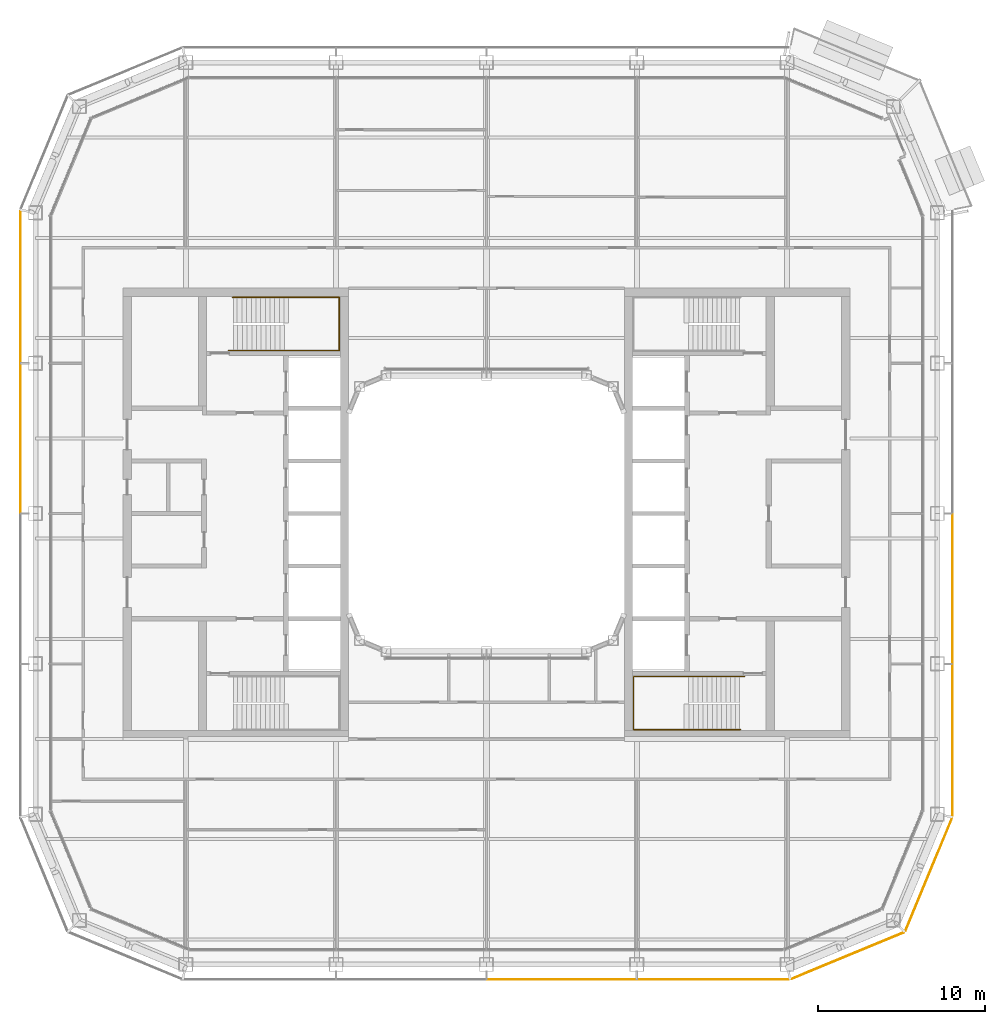
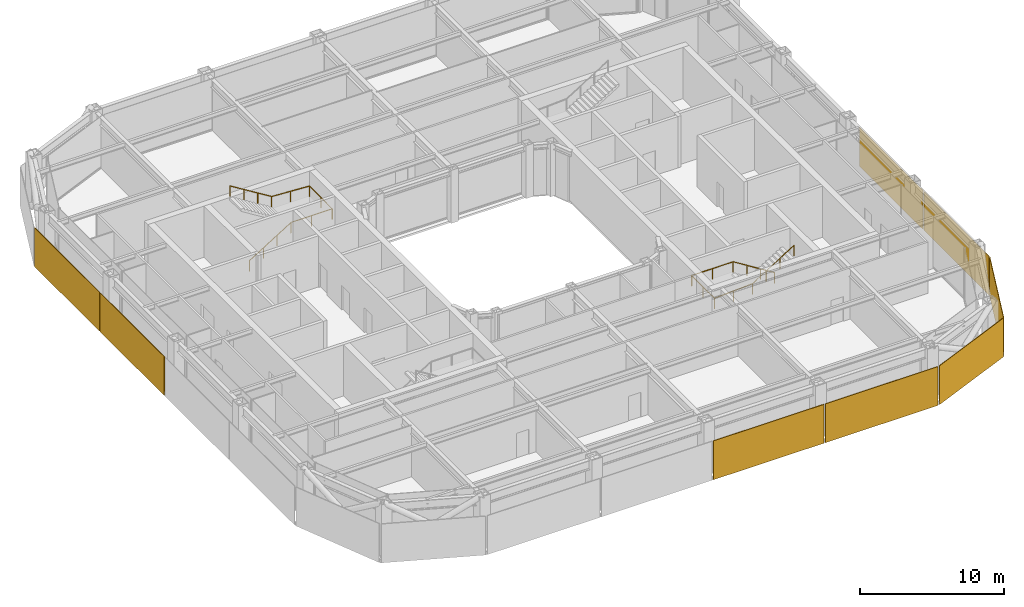
# One storey, part 20 of 23: 8 coverings, 2 railings.
"""IFC4 building model written with IfcOpenShell, lengths in metres."""

from ifc_helpers import new_model, si_unit, direction, frame, origin, origin_2d, place, context, subcontext, project, spatial, rectangle, circle, extrude, material, layer, layer_set, type_object, element, save


model = new_model("IFC4")

# Units and contexts
model_context = context("Model", 3, precision=1e-05, world=origin(), true_north=direction((0.0, 1.0)))
body_context = subcontext(model_context, "Body", "Model", "MODEL_VIEW")
ifc_project = project(units=[si_unit("LENGTHUNIT", "METRE"), si_unit("AREAUNIT", "SQUARE_METRE"), si_unit("VOLUMEUNIT", "CUBIC_METRE"), si_unit("PLANEANGLEUNIT", "RADIAN"), si_unit("MASSUNIT", "GRAM", prefix="KILO")], contexts=[model_context])

# Site, building, storey
site_placement = place(None, origin())
site = spatial("IfcSite", under=ifc_project, at=site_placement, CompositionType="ELEMENT")
building_placement = place(site_placement, origin())
building = spatial("IfcBuilding", under=site, at=building_placement, Name="Siwar Civic Tower", CompositionType="ELEMENT")
storey_placement = place(building_placement, frame((0.0, 0.0, 206.199951171875)))
storey = spatial("IfcBuildingStorey", under=building, at=storey_placement, Name="L44", CompositionType="ELEMENT", Elevation=206.199951171875)

# Railings
ifc_material_1 = material(Name="Stainless steel", Category="steel")
railing_type = type_object("IfcRailingType", Name="CORE-STAIR-HANDRAIL", PredefinedType="HANDRAIL", material=ifc_material_1)
railing_1_placement = place(storey_placement, frame((-15.449951171875, 9.758056640625, 0.173095703125)))
element("IfcRailing", 1, at=railing_1_placement, inside=storey, type_object=railing_type, Name="Stair handrail ST1", PredefinedType="HANDRAIL", context=body_context, shape_type="SweptSolid", body=[
    extrude(circle(Radius=0.02001953125, at=origin_2d()), frame((0.0, 0.0, 0.8798828125), z_axis=(0.847063342986, 0.0, 0.531491950051), x_axis=(0.0, 1.0, 0.0)), (0.0, 0.0, 1.0), 3.90771484375),
    extrude(circle(Radius=0.02001953125, at=origin_2d()), frame((3.31005859375, 0.0, 2.956787109375), z_axis=(1.0, 0.0, 0.0), x_axis=(0.0, 1.0, 0.0)), (0.0, 0.0, 1.0), 3.331787109375),
    extrude(circle(Radius=0.02001953125, at=origin_2d()), frame((6.641845703125, 0.0, 2.956787109375), z_axis=(0.0, 1.0, 0.0), x_axis=(-1.0, 0.0, 0.0)), (0.0, 0.0, 1.0), 3.183837890625),
    extrude(circle(Radius=0.02001953125, at=origin_2d()), frame((6.641845703125, 3.183837890625, 2.956787109375), z_axis=(-0.99837434197, 0.0, 0.056997134106), x_axis=(0.0, -1.0, 0.0)), (0.0, 0.0, 1.0), 3.036865234375),
    extrude(circle(Radius=0.02001953125, at=origin_2d()), frame((3.60986328125, 3.183837890625, 3.1298828125), z_axis=(-0.850606129759, 0.0, 0.525803396734), x_axis=(0.0, -1.0, 0.0)), (0.0, 0.0, 1.0), 3.949951171875),
    extrude(circle(Radius=0.02001953125, at=origin_2d()), origin(), (0.0, 0.0, 1.0), 0.85986328125),
    extrude(circle(Radius=0.02001953125, at=origin_2d()), frame((1.103271484375, 0.0, 0.6923828125)), (0.0, 0.0, 1.0), 0.85986328125),
    extrude(circle(Radius=0.02001953125, at=origin_2d()), frame((2.206787109375, 0.0, 1.384521484375)), (0.0, 0.0, 1.0), 0.85986328125),
    extrude(circle(Radius=0.02001953125, at=origin_2d()), frame((3.31005859375, 0.0, 2.076904296875)), (0.0, 0.0, 1.0), 0.85986328125),
    extrude(circle(Radius=0.02001953125, at=origin_2d()), frame((4.97607421875, 0.0, 2.076904296875)), (0.0, 0.0, 1.0), 0.85986328125),
    extrude(circle(Radius=0.02001953125, at=origin_2d()), frame((6.641845703125, 0.0, 2.076904296875)), (0.0, 0.0, 1.0), 0.85986328125),
    extrude(circle(Radius=0.02001953125, at=origin_2d()), frame((6.641845703125, 1.591796875, 2.076904296875)), (0.0, 0.0, 1.0), 0.85986328125),
    extrude(circle(Radius=0.02001953125, at=origin_2d()), frame((6.641845703125, 3.183837890625, 2.076904296875)), (0.0, 0.0, 1.0), 0.85986328125),
    extrude(circle(Radius=0.02001953125, at=origin_2d()), frame((5.1259765625, 3.183837890625, 2.16357421875)), (0.0, 0.0, 1.0), 0.85986328125),
    extrude(circle(Radius=0.02001953125, at=origin_2d()), frame((3.60986328125, 3.183837890625, 2.25)), (0.0, 0.0, 1.0), 0.85986328125),
    extrude(circle(Radius=0.02001953125, at=origin_2d()), frame((2.489990234375, 3.183837890625, 2.9423828125)), (0.0, 0.0, 1.0), 0.85986328125),
    extrude(circle(Radius=0.02001953125, at=origin_2d()), frame((1.369873046875, 3.183837890625, 3.634521484375)), (0.0, 0.0, 1.0), 0.85986328125),
    extrude(circle(Radius=0.02001953125, at=origin_2d()), frame((0.25, 3.183837890625, 4.326904296875)), (0.0, 0.0, 1.0), 0.85986328125),
])
railing_2_placement = place(storey_placement, frame((15.449951171875, -9.758056640625, 0.173095703125)))
element("IfcRailing", 2, at=railing_2_placement, inside=storey, type_object=railing_type, Name="Stair handrail ST4", PredefinedType="HANDRAIL", context=body_context, shape_type="SweptSolid", body=[
    extrude(circle(Radius=0.02001953125, at=origin_2d()), frame((0.0, 0.0, 0.8798828125), z_axis=(-0.847063342986, 0.0, 0.531491950051), x_axis=(0.0, -1.0, 0.0)), (0.0, 0.0, 1.0), 3.90771484375),
    extrude(circle(Radius=0.02001953125, at=origin_2d()), frame((-3.31005859375, 0.0, 2.956787109375), z_axis=(-1.0, 0.0, 0.0), x_axis=(0.0, -1.0, 0.0)), (0.0, 0.0, 1.0), 3.331787109375),
    extrude(circle(Radius=0.02001953125, at=origin_2d()), frame((-6.641845703125, 0.0, 2.956787109375), z_axis=(0.0, -1.0, 0.0), x_axis=(1.0, 0.0, 0.0)), (0.0, 0.0, 1.0), 3.183837890625),
    extrude(circle(Radius=0.02001953125, at=origin_2d()), frame((-6.641845703125, -3.183837890625, 2.956787109375), z_axis=(0.99837434197, 0.0, 0.056997134106), x_axis=(0.0, 1.0, 0.0)), (0.0, 0.0, 1.0), 3.036865234375),
    extrude(circle(Radius=0.02001953125, at=origin_2d()), frame((-3.60986328125, -3.183837890625, 3.1298828125), z_axis=(0.850606129759, 0.0, 0.525803396734), x_axis=(0.0, 1.0, 0.0)), (0.0, 0.0, 1.0), 3.949951171875),
    extrude(circle(Radius=0.02001953125, at=origin_2d()), origin(), (0.0, 0.0, 1.0), 0.85986328125),
    extrude(circle(Radius=0.02001953125, at=origin_2d()), frame((-1.103271484375, 0.0, 0.6923828125)), (0.0, 0.0, 1.0), 0.85986328125),
    extrude(circle(Radius=0.02001953125, at=origin_2d()), frame((-2.206787109375, 0.0, 1.384521484375)), (0.0, 0.0, 1.0), 0.85986328125),
    extrude(circle(Radius=0.02001953125, at=origin_2d()), frame((-3.31005859375, 0.0, 2.076904296875)), (0.0, 0.0, 1.0), 0.85986328125),
    extrude(circle(Radius=0.02001953125, at=origin_2d()), frame((-4.97607421875, 0.0, 2.076904296875)), (0.0, 0.0, 1.0), 0.85986328125),
    extrude(circle(Radius=0.02001953125, at=origin_2d()), frame((-6.641845703125, 0.0, 2.076904296875)), (0.0, 0.0, 1.0), 0.85986328125),
    extrude(circle(Radius=0.02001953125, at=origin_2d()), frame((-6.641845703125, -1.591796875, 2.076904296875)), (0.0, 0.0, 1.0), 0.85986328125),
    extrude(circle(Radius=0.02001953125, at=origin_2d()), frame((-6.641845703125, -3.183837890625, 2.076904296875)), (0.0, 0.0, 1.0), 0.85986328125),
    extrude(circle(Radius=0.02001953125, at=origin_2d()), frame((-5.1259765625, -3.183837890625, 2.16357421875)), (0.0, 0.0, 1.0), 0.85986328125),
    extrude(circle(Radius=0.02001953125, at=origin_2d()), frame((-3.60986328125, -3.183837890625, 2.25)), (0.0, 0.0, 1.0), 0.85986328125),
    extrude(circle(Radius=0.02001953125, at=origin_2d()), frame((-2.489990234375, -3.183837890625, 2.9423828125)), (0.0, 0.0, 1.0), 0.85986328125),
    extrude(circle(Radius=0.02001953125, at=origin_2d()), frame((-1.369873046875, -3.183837890625, 3.634521484375)), (0.0, 0.0, 1.0), 0.85986328125),
    extrude(circle(Radius=0.02001953125, at=origin_2d()), frame((-0.25, -3.183837890625, 4.326904296875)), (0.0, 0.0, 1.0), 0.85986328125),
])

# Coverings
ifc_material_2 = material(Name="Perforated aluminium cassette, pale metal", Category="aluminium")
ifc_layer_1 = layer(ifc_material_2, 0.0400390625)
ifc_layer_set_1 = layer_set([ifc_layer_1], Name="Perforated aluminium cassette, pale metal")
covering_type_1 = type_object("IfcCoveringType", Name="ENV-OUTER SKIN OS-1", PredefinedType="CLADDING", material=ifc_layer_set_1)
covering_1_placement = place(storey_placement, frame((27.89990234375, -13.57958984375, -0.14990234375), z_axis=(0.0, 0.0, 1.0), x_axis=(0.0, 1.0, 0.0)))
element("IfcCovering", 3, at=covering_1_placement, inside=storey, type_object=covering_type_1, Name="OUTER SKIN OS-1 E 1", PredefinedType="CLADDING", context=body_context, shape_type="SweptSolid", body=[
    extrude(rectangle(XDim=9.05908203125, YDim=0.0400390625, at=origin_2d()), origin(), (0.0, 0.0, 1.0), 3.300048828125),
])
covering_2_placement = place(storey_placement, frame((27.89990234375, -4.5, -0.14990234375), z_axis=(0.0, 0.0, 1.0), x_axis=(0.0, 1.0, 0.0)))
element("IfcCovering", 4, at=covering_2_placement, inside=storey, type_object=covering_type_1, Name="OUTER SKIN OS-1 E 2", PredefinedType="CLADDING", context=body_context, shape_type="SweptSolid", body=[
    extrude(rectangle(XDim=8.89990234375, YDim=0.0400390625, at=origin_2d()), origin(), (0.0, 0.0, 1.0), 3.300048828125),
])
ifc_material_3 = material(Name="Perforated aluminium cassette, pale metal", Category="aluminium")
ifc_layer_2 = layer(ifc_material_3, 0.044921875)
ifc_layer_set_2 = layer_set([ifc_layer_2], Name="Perforated aluminium cassette, pale metal")
covering_type_2 = type_object("IfcCoveringType", Name="ENV-OUTER SKIN OS-2", PredefinedType="CLADDING", material=ifc_layer_set_2)
covering_3_placement = place(storey_placement, frame((26.476318359375, -21.615966796875, -0.14990234375), z_axis=(0.0, 0.0, 1.0), x_axis=(0.382683432365, 0.923879532511, 0.0)))
element("IfcCovering", 5, at=covering_3_placement, inside=storey, type_object=covering_type_2, Name="OUTER SKIN OS-2 SE2 1", PredefinedType="CLADDING", context=body_context, shape_type="SweptSolid", body=[
    extrude(rectangle(XDim=7.300048828125, YDim=0.044921875, at=origin_2d()), origin(), (0.0, 0.0, 1.0), 3.300048828125),
])
ifc_material_4 = material(Name="Perforated aluminium cassette, pale metal", Category="aluminium")
ifc_layer_3 = layer(ifc_material_4, 0.050048828125)
ifc_layer_set_3 = layer_set([ifc_layer_3], Name="Perforated aluminium cassette, pale metal")
covering_type_3 = type_object("IfcCoveringType", Name="ENV-OUTER SKIN OS-3", PredefinedType="CLADDING", material=ifc_layer_set_3)
covering_4_placement = place(storey_placement, frame((21.615966796875, -26.476318359375, -0.14990234375), z_axis=(0.0, 0.0, 1.0), x_axis=(0.923879532511, 0.382683432365, 0.0)))
element("IfcCovering", 6, at=covering_4_placement, inside=storey, type_object=covering_type_3, Name="OUTER SKIN OS-3 SE1 1", PredefinedType="CLADDING", context=body_context, shape_type="SweptSolid", body=[
    extrude(rectangle(XDim=7.300048828125, YDim=0.050048828125, at=origin_2d()), origin(), (0.0, 0.0, 1.0), 3.300048828125),
])
covering_5_placement = place(storey_placement, frame((-27.89990234375, 13.57958984375, -0.14990234375), z_axis=(0.0, 0.0, 1.0), x_axis=(0.0, -1.0, 0.0)))
element("IfcCovering", 7, at=covering_5_placement, inside=storey, type_object=covering_type_3, Name="OUTER SKIN OS-3 W 1", PredefinedType="CLADDING", context=body_context, shape_type="SweptSolid", body=[
    extrude(rectangle(XDim=9.05908203125, YDim=0.050048828125, at=origin_2d()), origin(), (0.0, 0.0, 1.0), 3.300048828125),
])
covering_6_placement = place(storey_placement, frame((-27.89990234375, 4.5, -0.14990234375), z_axis=(0.0, 0.0, 1.0), x_axis=(0.0, -1.0, 0.0)))
element("IfcCovering", 8, at=covering_6_placement, inside=storey, type_object=covering_type_3, Name="OUTER SKIN OS-3 W 2", PredefinedType="CLADDING", context=body_context, shape_type="SweptSolid", body=[
    extrude(rectangle(XDim=8.89990234375, YDim=0.050048828125, at=origin_2d()), origin(), (0.0, 0.0, 1.0), 3.300048828125),
])
ifc_material_5 = material(Name="Perforated aluminium cassette, pale metal", Category="aluminium")
ifc_layer_4 = layer(ifc_material_5, 0.054931640625)
ifc_layer_set_4 = layer_set([ifc_layer_4], Name="Perforated aluminium cassette, pale metal")
covering_type_4 = type_object("IfcCoveringType", Name="ENV-OUTER SKIN OS-4", PredefinedType="CLADDING", material=ifc_layer_set_4)
covering_7_placement = place(storey_placement, frame((4.5, -27.89990234375, -0.14990234375), z_axis=(0.0, 0.0, 1.0), x_axis=(1.0, 0.0, 0.0)))
element("IfcCovering", 9, at=covering_7_placement, inside=storey, type_object=covering_type_4, Name="OUTER SKIN OS-4 S 3", PredefinedType="CLADDING", context=body_context, shape_type="SweptSolid", body=[
    extrude(rectangle(XDim=8.89990234375, YDim=0.054931640625, at=origin_2d()), origin(), (0.0, 0.0, 1.0), 3.300048828125),
])
covering_8_placement = place(storey_placement, frame((13.57958984375, -27.89990234375, -0.14990234375), z_axis=(0.0, 0.0, 1.0), x_axis=(1.0, 0.0, 0.0)))
element("IfcCovering", 10, at=covering_8_placement, inside=storey, type_object=covering_type_4, Name="OUTER SKIN OS-4 S 4", PredefinedType="CLADDING", context=body_context, shape_type="SweptSolid", body=[
    extrude(rectangle(XDim=9.05908203125, YDim=0.054931640625, at=origin_2d()), origin(), (0.0, 0.0, 1.0), 3.300048828125),
])

save(model, "model.ifc")
